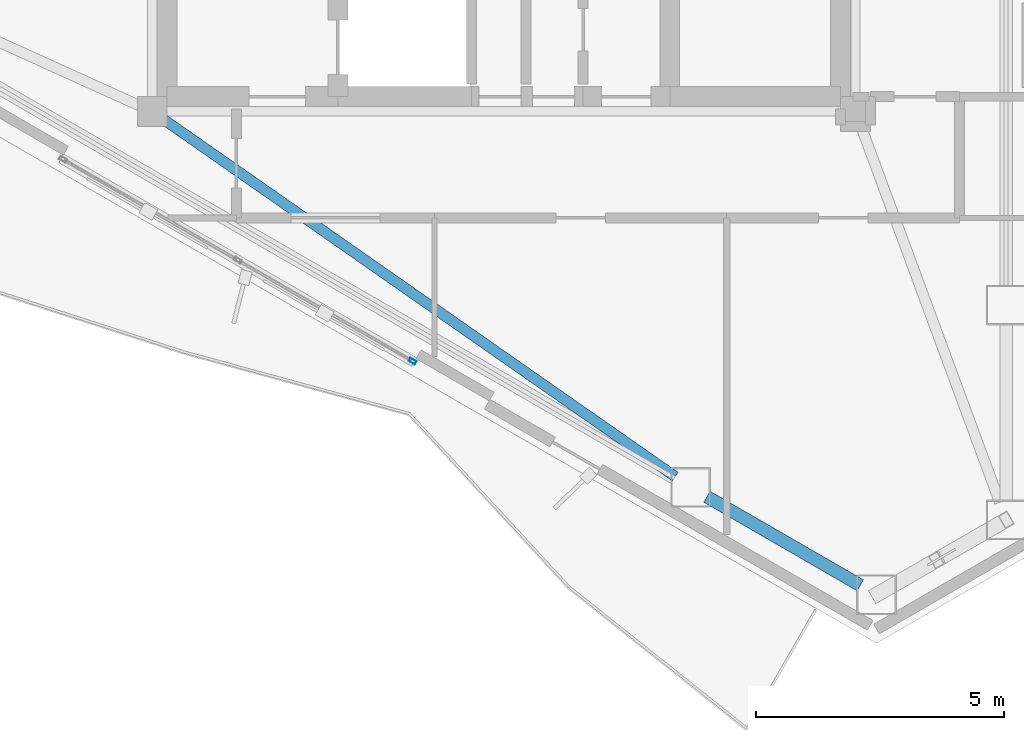
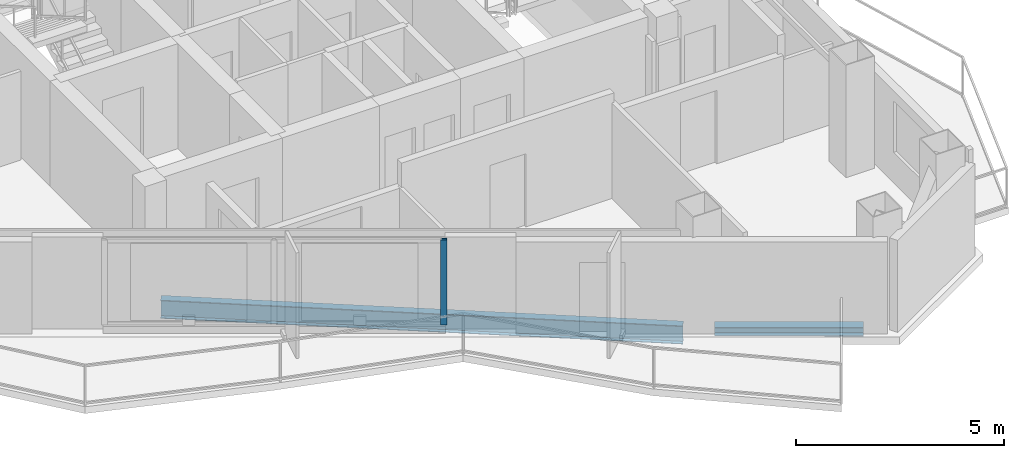
# One storey, part 5 of 18: 2 beams, 1 member, 1 element without a shape of its own.
"""IFC4 building model written with IfcOpenShell, lengths in metres."""

import ifcopenshell
import ifcopenshell.guid

model = None  # the IFC model being written
_history = None  # IfcOwnerHistory: only IFC2X3 demands one
_inside = {}  # id of a spatial element -> (the spatial element, [elements in it])
_under = {}  # id of a project, library or spatial element -> (it, [spatial elements below it])
_declared = {}  # id of a project -> (the project, [libraries it declares])
_typed = {}  # id of a type object -> (the type object, [elements of that type])
_made_of = {}  # id of a material, layer set ... -> (it, [elements and type objects made of it])


def new_model(schema):
    """Start an empty IFC model of exactly this schema.

    Asked for "IFC4X3", IfcOpenShell would pick the latest addendum, in which some entities
    have other attributes; the version numbers below select the first issue.
    IFC2X3 requires an IfcOwnerHistory on every rooted entity: one is made here for all.
    """
    global model, _history
    if schema == "IFC4X3":
        model = ifcopenshell.file(schema_version=(4, 3, 0, 0))
    else:
        model = ifcopenshell.file(schema=schema)
    _inside.clear()
    _under.clear()
    _declared.clear()
    _typed.clear()
    _made_of.clear()
    _history = None
    if model.schema == "IFC2X3":
        org = make("IfcOrganization", Name="unknown")
        user = make(
            "IfcPersonAndOrganization",
            ThePerson=make("IfcPerson", FamilyName="unknown"),
            TheOrganization=org,
        )
        app = make(
            "IfcApplication",
            ApplicationDeveloper=org,
            Version="unknown",
            ApplicationFullName="unknown",
            ApplicationIdentifier="unknown",
        )
        _history = make(
            "IfcOwnerHistory",
            OwningUser=user,
            OwningApplication=app,
            ChangeAction="ADDED",
            CreationDate=0,
        )
    return model


def make(cls, **values):
    """One entity of the class cls with the attributes given. An attribute that is None is left unset."""
    return model.create_entity(
        cls, **{name: value for name, value in values.items() if value is not None}
    )


def rooted(cls, **values):
    """An entity with a GlobalId (a new one), such as an element, a storey or a relation."""
    return make(cls, GlobalId=ifcopenshell.guid.new(), OwnerHistory=_history, **values)


def si_unit(unit_type, name, prefix=None):
    """IfcSIUnit, for example si_unit("LENGTHUNIT", "METRE", prefix="MILLI")."""
    return make("IfcSIUnit", UnitType=unit_type, Prefix=prefix, Name=name)


def assignment(units):
    """IfcUnitAssignment: the units of a project."""
    return None if units is None else make("IfcUnitAssignment", Units=units)


def point(xyz):
    """IfcCartesianPoint."""
    return None if xyz is None else make("IfcCartesianPoint", Coordinates=xyz)


def direction(xyz):
    """IfcDirection."""
    return None if xyz is None else make("IfcDirection", DirectionRatios=xyz)


def frame(location, z_axis=None, x_axis=None):
    """IfcAxis2Placement3D, a coordinate frame: its origin and axes. An axis left out is left unset."""
    return make(
        "IfcAxis2Placement3D",
        Location=point(location),
        Axis=direction(z_axis),
        RefDirection=direction(x_axis),
    )


def frame_2d(location, x_axis=None):
    """IfcAxis2Placement2D, a coordinate frame in the plane: its origin and x axis."""
    return make(
        "IfcAxis2Placement2D", Location=point(location), RefDirection=direction(x_axis)
    )


def origin():
    """The frame at (0, 0, 0) with its axes left unset."""
    return frame((0.0, 0.0, 0.0))


def origin_2d():
    """The frame at (0, 0) in the plane with its x axis left unset."""
    return frame_2d((0.0, 0.0))


def place(relative_to, where):
    """IfcLocalPlacement: puts the frame where relative to a parent placement (None: the world)."""
    return make(
        "IfcLocalPlacement", PlacementRelTo=relative_to, RelativePlacement=where
    )


def context(
    kind, dimensions, precision=None, world=None, true_north=None, identifier=None
):
    """IfcGeometricRepresentationContext, for example the 3D "Model" context."""
    return make(
        "IfcGeometricRepresentationContext",
        ContextIdentifier=identifier,
        ContextType=kind,
        CoordinateSpaceDimension=dimensions,
        Precision=precision,
        WorldCoordinateSystem=world,
        TrueNorth=true_north,
    )


def subcontext(parent, identifier, kind, view, scale=None):
    """IfcGeometricRepresentationSubContext, for example "Body" below "Model"."""
    return make(
        "IfcGeometricRepresentationSubContext",
        ContextIdentifier=identifier,
        ContextType=kind,
        ParentContext=parent,
        TargetScale=scale,
        TargetView=view,
    )


def project(units=None, contexts=None):
    """IfcProject with its units and contexts."""
    return rooted(
        "IfcProject",
        Name="project",
        RepresentationContexts=contexts,
        UnitsInContext=assignment(units),
    )


def spatial(cls, under=None, at=None, **own):
    """A site, building, storey or space (cls), placed at a placement, below another one or the project."""
    s = rooted(cls, ObjectPlacement=at, **own)
    if under is not None:
        _under.setdefault(under.id(), (under, []))[1].append(s)
    return s


def profile(cls, at=None, kind="AREA", **sizes):
    """A parametric profile (cls). Its sizes go by their IFC names, for example OverallWidth=200.0."""
    return make(cls, ProfileType=kind, Position=at, **sizes)


def hollow_rectangle(**sizes):
    """IfcRectangleHollowProfileDef."""
    return profile("IfcRectangleHollowProfileDef", **sizes)


def i_section(**sizes):
    """IfcIShapeProfileDef."""
    return profile("IfcIShapeProfileDef", **sizes)


def extrude(swept, where, along, depth):
    """IfcExtrudedAreaSolid: the profile swept, set in the frame where, extruded along a direction by depth."""
    return make(
        "IfcExtrudedAreaSolid",
        SweptArea=swept,
        Position=where,
        ExtrudedDirection=direction(along),
        Depth=depth,
    )


def shape(context_of_items, identifier, shape_type, items):
    """IfcShapeRepresentation: the items that make up one representation, for example the "Body"."""
    return make(
        "IfcShapeRepresentation",
        ContextOfItems=context_of_items,
        RepresentationIdentifier=identifier,
        RepresentationType=shape_type,
        Items=items,
    )


def material(Name=None, Category=None):
    """IfcMaterial."""
    return make("IfcMaterial", Name=Name, Category=Category)


def layer(
    of_material, thickness, ventilated=None, Name=None, Category=None, Priority=None
):
    """IfcMaterialLayer: one layer of a wall or slab, of a material (None: an air gap)."""
    return make(
        "IfcMaterialLayer",
        Material=of_material,
        LayerThickness=thickness,
        IsVentilated=ventilated,
        Name=Name,
        Category=Category,
        Priority=Priority,
    )


def layer_set(layers, Name=None):
    """IfcMaterialLayerSet."""
    return make("IfcMaterialLayerSet", MaterialLayers=layers, LayerSetName=Name)


def material_profile(
    of_material, cross_section, Name=None, Category=None, Priority=None
):
    """IfcMaterialProfile: a cross section and its material."""
    return make(
        "IfcMaterialProfile",
        Name=Name,
        Material=of_material,
        Profile=cross_section,
        Priority=Priority,
        Category=Category,
    )


def profile_set(profiles, Name=None, composite=None):
    """IfcMaterialProfileSet."""
    return make(
        "IfcMaterialProfileSet",
        Name=Name,
        MaterialProfiles=profiles,
        CompositeProfile=composite,
    )


def made_of(thing, what):
    """Note that an element or type object is made of a material, layer set ...; save() writes the relation."""
    if what is not None:
        _made_of.setdefault(what.id(), (what, []))[1].append(thing)
    return thing


def type_object(cls, material=None, **own):
    """A type object (cls), such as IfcWallType, which elements share."""
    return made_of(rooted(cls, **own), material)


def element(
    cls,
    number,
    at=None,
    inside=None,
    cuts=None,
    type_object=None,
    material=None,
    context=None,
    identifier="Body",
    shape_type=None,
    held_by="IfcProductDefinitionShape",
    body=None,
    shapes=None,
    **own,
):
    """One element of the class cls, such as IfcWall. Its Tag is "e" and its number.

    at: its placement. inside: the storey or other place that contains it. cuts: it is an
    opening in that element (IfcRelVoidsElement). A single representation is given by context,
    identifier, shape_type and body (its items); several are given by shapes. held_by: the class
    of the entity that holds the representations. save() writes the other relations.
    """
    e = rooted(cls, Tag="e%d" % number, ObjectPlacement=at, **own)
    if body is not None:
        shapes = [shape(context, identifier, shape_type, body)]
    if shapes is not None:
        e.Representation = make(held_by, Representations=shapes)
    if inside is not None:
        _inside.setdefault(inside.id(), (inside, []))[1].append(e)
    if cuts is not None:
        rooted(
            "IfcRelVoidsElement", RelatingBuildingElement=cuts, RelatedOpeningElement=e
        )
    if type_object is not None:
        _typed.setdefault(type_object.id(), (type_object, []))[1].append(e)
    return made_of(e, material)


def aggregate(whole, parts):
    """IfcRelAggregates: a whole, such as a stair, and the parts it consists of."""
    return rooted("IfcRelAggregates", RelatingObject=whole, RelatedObjects=parts)


def save(model, path):
    """Write the relations noted so far, then the file.

    IfcRelAggregates (storeys below a building ...), IfcRelContainedInSpatialStructure (elements
    in a storey), IfcRelDefinesByType, IfcRelAssociatesMaterial and IfcRelDeclares: one each for
    every whole, place, type object, material and project.
    """
    for whole, parts in _under.values():
        aggregate(whole, parts)
    for where, things in _inside.values():
        rooted(
            "IfcRelContainedInSpatialStructure",
            RelatedElements=things,
            RelatingStructure=where,
        )
    for kind, things in _typed.values():
        rooted("IfcRelDefinesByType", RelatedObjects=things, RelatingType=kind)
    for what, things in _made_of.values():
        rooted("IfcRelAssociatesMaterial", RelatedObjects=things, RelatingMaterial=what)
    for by, libraries in _declared.values():
        rooted("IfcRelDeclares", RelatingContext=by, RelatedDefinitions=libraries)
    model.write(path)


model = new_model("IFC4")

# Units and contexts
model_context = context("Model", 3, precision=1e-05, world=origin(), true_north=direction((0.0, 1.0)))
body_context = subcontext(model_context, "Body", "Model", "MODEL_VIEW")
ifc_project = project(units=[si_unit("LENGTHUNIT", "METRE"), si_unit("AREAUNIT", "SQUARE_METRE"), si_unit("VOLUMEUNIT", "CUBIC_METRE"), si_unit("PLANEANGLEUNIT", "RADIAN"), si_unit("MASSUNIT", "GRAM", prefix="KILO")], contexts=[model_context])

# Site, building, storey
site_placement = place(None, origin())
site = spatial("IfcSite", under=ifc_project, at=site_placement, CompositionType="ELEMENT")
building_placement = place(site_placement, origin())
building = spatial("IfcBuilding", under=site, at=building_placement, Name="Mersakhor Tower and Convention Hall", CompositionType="ELEMENT")
storey_placement = place(building_placement, frame((0.0, 0.0, 243.0)))
storey = spatial("IfcBuildingStorey", under=building, at=storey_placement, Name="L68", CompositionType="ELEMENT", Elevation=243.0)

# Beams
ifc_material_1 = material(Name="Steel S355", Category="steel")
ifc_material_profile_1 = material_profile(ifc_material_1, i_section(OverallWidth=0.2099609375, OverallDepth=0.53662109375, WebThickness=0.0107421875, FlangeThickness=0.017333984375, at=origin_2d()), Name="UB 533x210x101")
ifc_profile_set_1 = profile_set([ifc_material_profile_1], Name="Steel S355")
beam_type_1 = type_object("IfcBeamType", Name="BM-FB-533", PredefinedType="BEAM", material=ifc_profile_set_1)
beam_1_placement = place(storey_placement, frame((22.129638671875, 20.289794921875, -0.48828125), z_axis=(0.819954136469, -0.572429221903, 0.0), x_axis=(0.572429221903, 0.819954136469, 0.0)))
element("IfcBeam", 1, at=beam_1_placement, inside=storey, type_object=beam_type_1, Name="L68 Primary Floor Girder FG-5", PredefinedType="BEAM", context=body_context, shape_type="SweptSolid", body=[
    extrude(i_section(OverallWidth=0.2099609375, OverallDepth=0.53662109375, WebThickness=0.0107421875, FlangeThickness=0.017333984375, at=origin_2d()), origin(), (0.0, 0.0, 1.0), 12.598388671875),
])
ifc_material_2 = material(Name="Steel S355", Category="steel")
ifc_material_profile_2 = material_profile(ifc_material_2, i_section(OverallWidth=0.25634765625, OverallDepth=0.26025390625, WebThickness=0.01025390625, FlangeThickness=0.017333984375, at=origin_2d()), Name="UC 254x254x89")
ifc_profile_set_2 = profile_set([ifc_material_profile_2], Name="Steel S355")
beam_type_2 = type_object("IfcBeamType", Name="BM-SPD-UC254", PredefinedType="SPANDREL", material=ifc_profile_set_2)
beam_2_placement = place(storey_placement, frame((36.196044921875, 10.88330078125, -0.35009765625), z_axis=(-0.866002454009, 0.500039748071, 0.0), x_axis=(-0.500039748071, -0.866002454009, 0.0)))
element("IfcBeam", 2, at=beam_2_placement, inside=storey, type_object=beam_type_2, Name="L68 Perimeter Spandrel Beam SPB-09", PredefinedType="SPANDREL", context=body_context, shape_type="SweptSolid", body=[
    extrude(i_section(OverallWidth=0.25634765625, OverallDepth=0.26025390625, WebThickness=0.01025390625, FlangeThickness=0.017333984375, at=origin_2d()), origin(), (0.0, 0.0, 1.0), 3.574462890625),
])

# Curtain wall, member
ifc_material_3 = material(Name="Dark solar low-E aluminium curtain wall", Category="aluminium")
ifc_layer = layer(ifc_material_3, 0.179931640625)
ifc_layer_set = layer_set([ifc_layer], Name="Dark solar low-E aluminium curtain wall")
curtain_wall_type = type_object("IfcCurtainWallType", Name="CW-SYS-03", PredefinedType="USERDEFINED", material=ifc_layer_set)
curtain_wall_placement = place(storey_placement, origin())
curtain_wall = element("IfcCurtainWall", 3, at=curtain_wall_placement, inside=storey, type_object=curtain_wall_type, Name="L68 Dark-Glass Curtain Wall F3-B2", ObjectType="CURTAIN WALL", PredefinedType="USERDEFINED")
ifc_material_4 = material(Name="Anodised aluminium EN AW-6063 T6", Category="aluminium")
ifc_material_profile_3 = material_profile(ifc_material_4, hollow_rectangle(XDim=0.074951171875, YDim=0.14990234375, WallThickness=0.00634765625, at=origin_2d()), Name="RHS 150x75x6.3")
ifc_profile_set_3 = profile_set([ifc_material_profile_3], Name="Anodised aluminium EN AW-6063 T6")
member_type = type_object("IfcMemberType", Name="CWM-150x75", PredefinedType="MULLION", material=ifc_profile_set_3)
member_placement = place(storey_placement, frame((27.158935546875, 15.408203125, 0.199951171875), z_axis=(0.0, 0.0, 1.0), x_axis=(-0.500004411169, -0.86602285698, 0.0)))
member = element("IfcMember", 4, at=member_placement, type_object=member_type, Name="CW-03 mullion 1", PredefinedType="MULLION", context=body_context, shape_type="SweptSolid", body=[
    extrude(hollow_rectangle(XDim=0.074951171875, YDim=0.14990234375, WallThickness=0.00634765625, at=origin_2d()), origin(), (0.0, 0.0, 1.0), 2.5),
])
aggregate(curtain_wall, [member])

save(model, "model.ifc")
